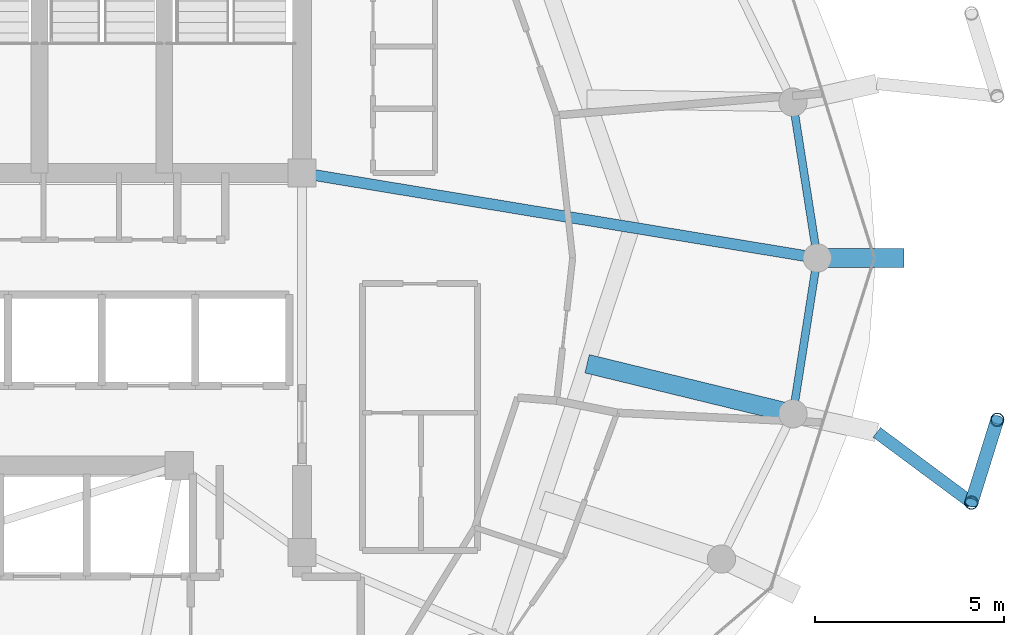
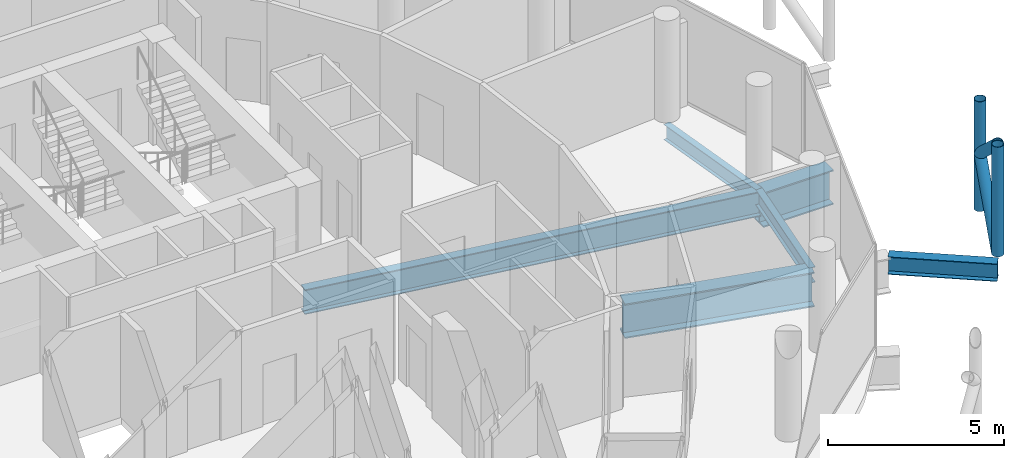
# One storey, part 12 of 25: 6 beams, 4 members.
"""IFC4 building model written with IfcOpenShell, lengths in metres."""

from ifc_helpers import new_model, si_unit, direction, frame, origin, origin_2d, place, context, subcontext, project, spatial, hollow_circle, i_section, extrude, material, material_profile, profile_set, type_object, element, save


model = new_model("IFC4")

# Units and contexts
model_context = context("Model", 3, precision=1e-05, world=origin(), true_north=direction((0.0, 1.0)))
body_context = subcontext(model_context, "Body", "Model", "MODEL_VIEW")
ifc_project = project(units=[si_unit("LENGTHUNIT", "METRE"), si_unit("AREAUNIT", "SQUARE_METRE"), si_unit("VOLUMEUNIT", "CUBIC_METRE"), si_unit("PLANEANGLEUNIT", "RADIAN"), si_unit("MASSUNIT", "GRAM", prefix="KILO")], contexts=[model_context])

# Site, building, storey
site_placement = place(None, origin())
site = spatial("IfcSite", under=ifc_project, at=site_placement, CompositionType="ELEMENT")
building_placement = place(site_placement, origin())
building = spatial("IfcBuilding", under=site, at=building_placement, Name="Nuhasar Tower", CompositionType="ELEMENT")
storey_placement = place(building_placement, frame((0.0, 0.0, 255.60009765625)))
storey = spatial("IfcBuildingStorey", under=building, at=storey_placement, Name="L63", CompositionType="ELEMENT", Elevation=255.60009765625)

# Beams
ifc_material_1 = material(Name="Steel S355", Category="steel")
ifc_material_profile_1 = material_profile(ifc_material_1, i_section(OverallWidth=0.2919921875, OverallDepth=0.85888671875, WebThickness=0.01708984375, FlangeThickness=0.031005859375, at=origin_2d()), Name="W33X169")
ifc_profile_set_1 = profile_set([ifc_material_profile_1], Name="Steel S355")
beam_type_1 = type_object("IfcBeamType", Name="BM-POD-W33X169", PredefinedType="BEAM", material=ifc_profile_set_1)
beam_1_placement = place(storey_placement, frame((44.300048828125, 29.050048828125, -0.689208984375), z_axis=(0.986685215874, -0.162641583786, 0.0), x_axis=(0.162641583786, 0.986685215874, 0.0)))
element("IfcBeam", 1, at=beam_1_placement, inside=storey, type_object=beam_type_1, Name="L63 Radial Floor Girder 04", PredefinedType="BEAM", context=body_context, shape_type="SweptSolid", body=[
    extrude(i_section(OverallWidth=0.2919921875, OverallDepth=0.85888671875, WebThickness=0.01708984375, FlangeThickness=0.031005859375, at=origin_2d()), origin(), (0.0, 0.0, 1.0), 13.833984375),
])
ifc_material_profile_2 = material_profile(ifc_material_1, i_section(OverallWidth=0.2099609375, OverallDepth=0.537109375, WebThickness=0.010986328125, FlangeThickness=0.017333984375, at=origin_2d()), Name="W21X68")
ifc_profile_set_2 = profile_set([ifc_material_profile_2], Name="Steel S355")
beam_type_2 = type_object("IfcBeamType", Name="BM-RING-W21X68", PredefinedType="SPANDREL", material=ifc_profile_set_2)
for number, where, z_axis, x_axis, name in (
    (2, (57.949951171875, 26.800048828125, -0.528076171875), (-0.154612165232, 0.987975241776, 0.0), (-0.987975241776, -0.154612165232, 0.0), "L63 Perimeter Ring Spandrel 01"),
    (3, (57.303955078125, 22.672119140625, -0.528076171875), (0.154612165232, 0.987975241776, 0.0), (-0.987975241776, 0.154612165232, 0.0), "L63 Perimeter Ring Spandrel 24"),
):
    element("IfcBeam", number, at=place(storey_placement, frame(where, z_axis=z_axis, x_axis=x_axis)), inside=storey, type_object=beam_type_2, Name=name, PredefinedType="SPANDREL", context=body_context, shape_type="SweptSolid", body=[
        extrude(i_section(OverallWidth=0.2099609375, OverallDepth=0.537109375, WebThickness=0.010986328125, FlangeThickness=0.017333984375, at=origin_2d()), origin(), (0.0, 0.0, 1.0), 4.17822265625),
    ])
ifc_material_profile_3 = material_profile(ifc_material_1, i_section(OverallWidth=0.323974609375, OverallDepth=0.611083984375, WebThickness=0.0126953125, FlangeThickness=0.01904296875, at=origin_2d()), Name="W24X104")
ifc_profile_set_3 = profile_set([ifc_material_profile_3], Name="Steel S355")
beam_type_3 = type_object("IfcBeamType", Name="BM-TIE-W24X104", PredefinedType="BEAM", material=ifc_profile_set_3)
beam_2_placement = place(storey_placement, frame((59.52587890625, 22.179931640625, -0.565185546875), z_axis=(0.802983345014, -0.596001466131, 0.0), x_axis=(0.596001466131, 0.802983345014, 0.0)))
element("IfcBeam", 4, at=beam_2_placement, inside=storey, type_object=beam_type_3, Name="L63 Exoskeleton Node Tie Beam 12", PredefinedType="BEAM", context=body_context, shape_type="SweptSolid", body=[
    extrude(i_section(OverallWidth=0.323974609375, OverallDepth=0.611083984375, WebThickness=0.0126953125, FlangeThickness=0.01904296875, at=origin_2d()), origin(), (0.0, 0.0, 1.0), 3.122314453125),
])
ifc_material_2 = material(Name="Steel S460", Category="steel")
ifc_material_profile_4 = material_profile(ifc_material_2, i_section(OverallWidth=0.5, OverallDepth=1.199951171875, WebThickness=0.02587890625, FlangeThickness=0.044921875, at=origin_2d()), Name="PG1200X500")
ifc_profile_set_4 = profile_set([ifc_material_profile_4], Name="Steel S460")
beam_type_4 = type_object("IfcBeamType", Name="BM-XFER-PG1200", PredefinedType="USERDEFINED", material=ifc_profile_set_4)
beam_3_placement = place(storey_placement, frame((57.949951171875, 26.800048828125, -0.860107421875), z_axis=(1.0, 0.0, 0.0), x_axis=(0.0, 1.0, 0.0)))
element("IfcBeam", 5, at=beam_3_placement, inside=storey, type_object=beam_type_4, Name="L63 Radial Step Transfer Girder 04", ObjectType="GIRDER", PredefinedType="USERDEFINED", context=body_context, shape_type="SweptSolid", body=[
    extrude(i_section(OverallWidth=0.5, OverallDepth=1.199951171875, WebThickness=0.02587890625, FlangeThickness=0.044921875, at=origin_2d()), origin(), (0.0, 0.0, 1.0), 2.300048828125),
])
beam_4_placement = place(storey_placement, frame((51.85205078125, 23.998046875, -0.860107421875), z_axis=(0.971676244983, -0.236316048834, 0.0), x_axis=(0.236316048834, 0.971676244983, 0.0)))
element("IfcBeam", 6, at=beam_4_placement, inside=storey, type_object=beam_type_4, Name="L63 Inner Column Transfer Girder 24", ObjectType="GIRDER", PredefinedType="USERDEFINED", context=body_context, shape_type="SweptSolid", body=[
    extrude(i_section(OverallWidth=0.5, OverallDepth=1.199951171875, WebThickness=0.02587890625, FlangeThickness=0.044921875, at=origin_2d()), origin(), (0.0, 0.0, 1.0), 5.61083984375),
])

# Members
ifc_material_profile_5 = material_profile(ifc_material_2, hollow_circle(Radius=0.177734375, WallThickness=0.015869140625, at=origin_2d()), Name="HSS355.6X15.9")
ifc_profile_set_5 = profile_set([ifc_material_profile_5], Name="Steel S460")
member_type = type_object("IfcMemberType", Name="EXO-BRONZE-356", PredefinedType="BRACE", material=ifc_profile_set_5)
for number, where, z_axis, x_axis, name in (
    (7, (62.032958984375, 20.319091796875, 0.0), (0.0, 0.0, 1.0), (1.0, 0.0, 0.0), "L63 Exoskeleton Chord Column EC-12A"),
    (8, (62.718017578125, 22.513916015625, 0.0), (0.0, 0.0, 1.0), (1.0, 0.0, 0.0), "L63 Exoskeleton Chord Column EC-12B"),
):
    element("IfcMember", number, at=place(storey_placement, frame(where, z_axis=z_axis, x_axis=x_axis)), inside=storey, type_object=member_type, Name=name, PredefinedType="BRACE", context=body_context, shape_type="SweptSolid", body=[
        extrude(hollow_circle(Radius=0.177734375, WallThickness=0.015869140625, at=origin_2d()), origin(), (0.0, 0.0, 1.0), 3.7998046875),
    ])
for number, where, z_axis, x_axis, name in (
    (9, (62.032958984375, 20.319091796875, 0.0), (0.229681361446, 0.735864376122, 0.636985158507), (-0.954581948223, 0.297948492404, 0.0), "L63 Bronze Diagrid Brace W1-12"),
    (10, (62.718017578125, 22.513916015625, 1.89990234375), (-0.229681361446, -0.735864376122, 0.636985158507), (0.954581948223, -0.297948492404, 0.0), "L63 Bronze Diagrid Brace W2-12"),
):
    element("IfcMember", number, at=place(storey_placement, frame(where, z_axis=z_axis, x_axis=x_axis)), inside=storey, type_object=member_type, Name=name, PredefinedType="BRACE", context=body_context, shape_type="SweptSolid", body=[
        extrude(hollow_circle(Radius=0.177734375, WallThickness=0.015869140625, at=origin_2d()), origin(), (0.0, 0.0, 1.0), 2.982666015625),
    ])

save(model, "model.ifc")
